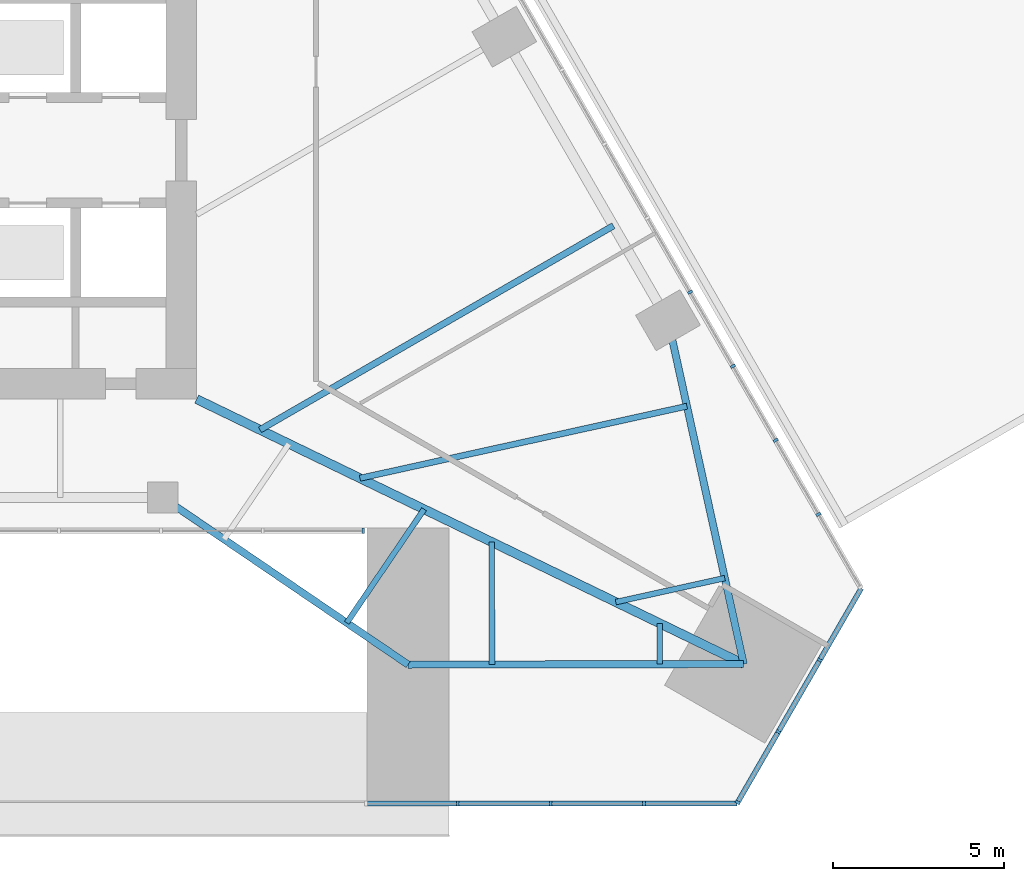
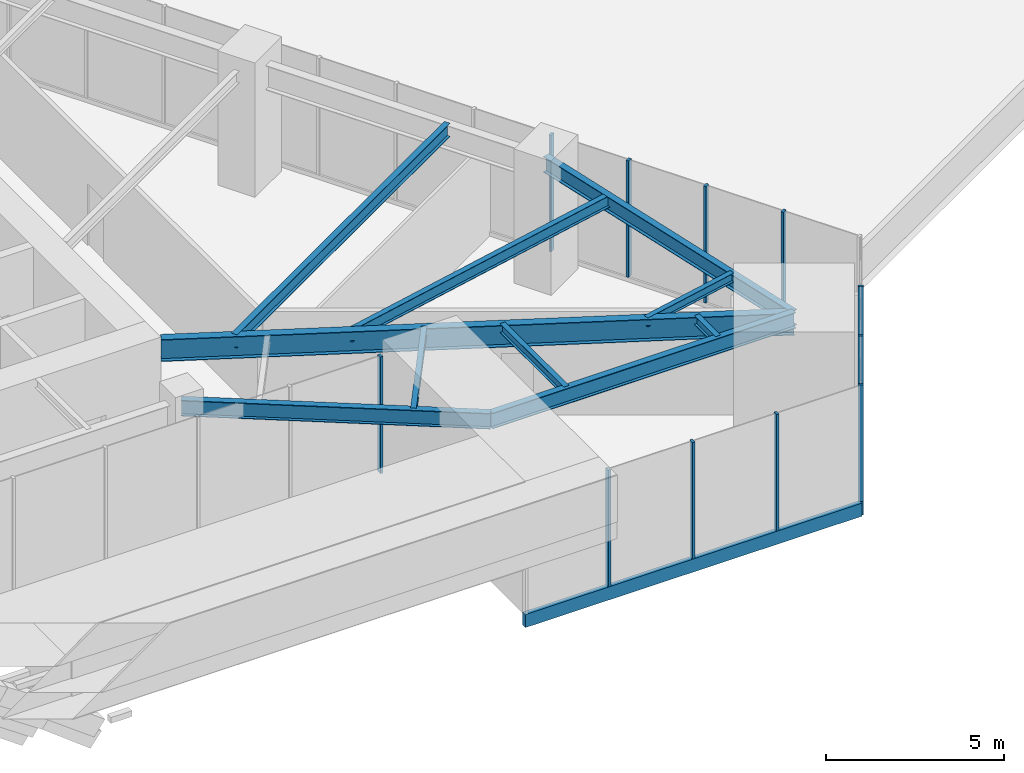
# One storey, part 6 of 23: 13 members, 10 beams, 4 elements without a shape of their own.
"""IFC4 building model written with IfcOpenShell, lengths in metres."""

from ifc_helpers import new_model, si_unit, direction, frame, origin, origin_2d, place, context, subcontext, project, spatial, rectangle, i_section, extrude, material, layer, layer_set, material_profile, profile_set, type_object, element, aggregate, save


model = new_model("IFC4")

# Units and contexts
model_context = context("Model", 3, precision=1e-05, world=origin(), true_north=direction((0.0, 1.0)))
body_context = subcontext(model_context, "Body", "Model", "MODEL_VIEW")
ifc_project = project(units=[si_unit("LENGTHUNIT", "METRE"), si_unit("AREAUNIT", "SQUARE_METRE"), si_unit("VOLUMEUNIT", "CUBIC_METRE"), si_unit("PLANEANGLEUNIT", "RADIAN"), si_unit("MASSUNIT", "GRAM", prefix="KILO")], contexts=[model_context])

# Site, building, storey
site_placement = place(None, origin())
site = spatial("IfcSite", under=ifc_project, at=site_placement, CompositionType="ELEMENT")
building_placement = place(site_placement, origin())
building = spatial("IfcBuilding", under=site, at=building_placement, Name="Firuza Gate Tower and Library", CompositionType="ELEMENT")
storey_placement = place(building_placement, frame((0.0, 0.0, 26.39990234375)))
storey = spatial("IfcBuildingStorey", under=building, at=storey_placement, Name="L05", CompositionType="ELEMENT", Elevation=26.39990234375)

# Curtain wall, member
ifc_material_1 = material(Name="Aluminium 6063-T6", Category="aluminium")
ifc_layer_1 = layer(ifc_material_1, 0.14990234375)
ifc_layer_set_1 = layer_set([ifc_layer_1], Name="Stick curtain wall, gate lobby")
curtain_wall_type_1 = type_object("IfcCurtainWallType", Name="Stick curtain wall, gate lobby", PredefinedType="NOTDEFINED", material=ifc_layer_set_1)
placement = place(storey_placement, origin())
curtain_wall_1 = element("IfcCurtainWall", 1, at=placement, inside=storey, type_object=curtain_wall_type_1, Name="CW7 L05 gate lobby", PredefinedType="NOTDEFINED")
ifc_material_2 = material(Name="Aluminium 6063-T6", Category="aluminium")
ifc_material_profile_1 = material_profile(ifc_material_2, rectangle(XDim=0.14990234375, YDim=0.080078125, at=origin_2d()))
ifc_profile_set_1 = profile_set([ifc_material_profile_1], Name="Aluminium 6063-T6")
member_type_1 = type_object("IfcMemberType", Name="Curtain wall mullion 80x150", PredefinedType="MULLION", material=ifc_profile_set_1)
member_1_placement = place(storey_placement, frame((92.885009765625, 62.140380859375, 0.150146484375), z_axis=(0.0, 0.0, 1.0), x_axis=(0.0, 1.0, 0.0)))
member_1 = element("IfcMember", 2, at=member_1_placement, type_object=member_type_1, Name="Mullion", PredefinedType="MULLION", context=body_context, shape_type="SweptSolid", body=[
    extrude(rectangle(XDim=0.14990234375, YDim=0.080078125, at=origin_2d()), origin(), (0.0, 0.0, 1.0), 4.0),
])
aggregate(curtain_wall_1, [member_1])

# Curtain wall, members
ifc_material_3 = material(Name="Aluminium 6063-T6", Category="aluminium")
ifc_layer_2 = layer(ifc_material_3, 0.14990234375)
ifc_layer_set_2 = layer_set([ifc_layer_2], Name="Stick curtain wall, podium")
curtain_wall_type_2 = type_object("IfcCurtainWallType", Name="Stick curtain wall, podium", PredefinedType="NOTDEFINED", material=ifc_layer_set_2)
curtain_wall_2 = element("IfcCurtainWall", 3, at=placement, inside=storey, type_object=curtain_wall_type_2, Name="CW5 L05 S", PredefinedType="NOTDEFINED")
member_2_placement = place(storey_placement, frame((95.654541015625, 54.140380859375, 0.150146484375), z_axis=(0.0, 0.0, 1.0), x_axis=(0.0, 1.0, 0.0)))
member_2 = element("IfcMember", 4, at=member_2_placement, type_object=member_type_1, Name="Mullion", PredefinedType="MULLION", context=body_context, shape_type="SweptSolid", body=[
    extrude(rectangle(XDim=0.14990234375, YDim=0.080078125, at=origin_2d()), origin(), (0.0, 0.0, 1.0), 4.0),
])
member_3_placement = place(storey_placement, frame((98.384033203125, 54.140380859375, 0.150146484375), z_axis=(0.0, 0.0, 1.0), x_axis=(0.0, 1.0, 0.0)))
member_3 = element("IfcMember", 5, at=member_3_placement, type_object=member_type_1, Name="Mullion", PredefinedType="MULLION", context=body_context, shape_type="SweptSolid", body=[
    extrude(rectangle(XDim=0.14990234375, YDim=0.080078125, at=origin_2d()), origin(), (0.0, 0.0, 1.0), 4.0),
])
member_4_placement = place(storey_placement, frame((101.11376953125, 54.140380859375, 0.150146484375), z_axis=(0.0, 0.0, 1.0), x_axis=(0.0, 1.0, 0.0)))
member_4 = element("IfcMember", 6, at=member_4_placement, type_object=member_type_1, Name="Mullion", PredefinedType="MULLION", context=body_context, shape_type="SweptSolid", body=[
    extrude(rectangle(XDim=0.14990234375, YDim=0.080078125, at=origin_2d()), origin(), (0.0, 0.0, 1.0), 4.0),
])

curtain_wall_3 = element("IfcCurtainWall", 7, at=placement, inside=storey, type_object=curtain_wall_type_2, Name="CW5 L05 SE", PredefinedType="NOTDEFINED")
member_5_placement = place(storey_placement, frame((103.86328125, 54.175048828125, 0.150146484375), z_axis=(0.0, 0.0, 1.0), x_axis=(-0.866025403784, 0.5, 0.0)))
member_5 = element("IfcMember", 8, at=member_5_placement, type_object=member_type_1, Name="Mullion", PredefinedType="MULLION", context=body_context, shape_type="SweptSolid", body=[
    extrude(rectangle(XDim=0.14990234375, YDim=0.080078125, at=origin_2d()), origin(), (0.0, 0.0, 1.0), 4.0),
])
member_6_placement = place(storey_placement, frame((105.0576171875, 56.243896484375, 0.150146484375), z_axis=(0.0, 0.0, 1.0), x_axis=(-0.866025403784, 0.5, 0.0)))
member_6 = element("IfcMember", 9, at=member_6_placement, type_object=member_type_1, Name="Mullion", PredefinedType="MULLION", context=body_context, shape_type="SweptSolid", body=[
    extrude(rectangle(XDim=0.14990234375, YDim=0.080078125, at=origin_2d()), origin(), (0.0, 0.0, 1.0), 4.0),
])
member_7_placement = place(storey_placement, frame((106.272216796875, 58.347412109375, 0.150146484375), z_axis=(0.0, 0.0, 1.0), x_axis=(-0.866025403784, 0.5, 0.0)))
member_7 = element("IfcMember", 10, at=member_7_placement, type_object=member_type_1, Name="Mullion", PredefinedType="MULLION", context=body_context, shape_type="SweptSolid", body=[
    extrude(rectangle(XDim=0.14990234375, YDim=0.080078125, at=origin_2d()), origin(), (0.0, 0.0, 1.0), 4.0),
])

curtain_wall_4 = element("IfcCurtainWall", 11, at=placement, inside=storey, type_object=curtain_wall_type_2, Name="CW5 L05 E", PredefinedType="NOTDEFINED")
member_8_placement = place(storey_placement, frame((106.232666015625, 62.622802734375, 0.150146484375), z_axis=(0.0, 0.0, 1.0), x_axis=(-0.866025403784, -0.5, 0.0)))
member_8 = element("IfcMember", 12, at=member_8_placement, type_object=member_type_1, Name="Mullion", PredefinedType="MULLION", context=body_context, shape_type="SweptSolid", body=[
    extrude(rectangle(XDim=0.14990234375, YDim=0.080078125, at=origin_2d()), origin(), (0.0, 0.0, 1.0), 4.0),
])
member_9_placement = place(storey_placement, frame((104.978515625, 64.794921875, 0.150146484375), z_axis=(0.0, 0.0, 1.0), x_axis=(-0.866025403784, -0.5, 0.0)))
member_9 = element("IfcMember", 13, at=member_9_placement, type_object=member_type_1, Name="Mullion", PredefinedType="MULLION", context=body_context, shape_type="SweptSolid", body=[
    extrude(rectangle(XDim=0.14990234375, YDim=0.080078125, at=origin_2d()), origin(), (0.0, 0.0, 1.0), 4.0),
])
member_10_placement = place(storey_placement, frame((103.724365234375, 66.967041015625, 0.150146484375), z_axis=(0.0, 0.0, 1.0), x_axis=(-0.866025403784, -0.5, 0.0)))
member_10 = element("IfcMember", 14, at=member_10_placement, type_object=member_type_1, Name="Mullion", PredefinedType="MULLION", context=body_context, shape_type="SweptSolid", body=[
    extrude(rectangle(XDim=0.14990234375, YDim=0.080078125, at=origin_2d()), origin(), (0.0, 0.0, 1.0), 4.0),
])
member_11_placement = place(storey_placement, frame((102.470458984375, 69.13916015625, 0.150146484375), z_axis=(0.0, 0.0, 1.0), x_axis=(-0.866025403784, -0.5, 0.0)))
member_11 = element("IfcMember", 15, at=member_11_placement, type_object=member_type_1, Name="Mullion", PredefinedType="MULLION", context=body_context, shape_type="SweptSolid", body=[
    extrude(rectangle(XDim=0.14990234375, YDim=0.080078125, at=origin_2d()), origin(), (0.0, 0.0, 1.0), 4.0),
])
aggregate(curtain_wall_4, [member_8, member_9, member_10, member_11])

# Member
ifc_material_4 = material(Name="Aluminium 6063-T6", Category="aluminium")
ifc_material_profile_2 = material_profile(ifc_material_4, rectangle(XDim=0.14990234375, YDim=0.449951171875, at=origin_2d()))
ifc_profile_set_2 = profile_set([ifc_material_profile_2], Name="Aluminium 6063-T6")
member_type_2 = type_object("IfcMemberType", Name="Curtain wall transom 450x150", PredefinedType="USERDEFINED", material=ifc_profile_set_2)
member_12_placement = place(storey_placement, frame((92.925048828125, 54.140380859375, -0.074951171875), z_axis=(1.0, 0.0, 0.0), x_axis=(0.0, 1.0, 0.0)))
member_12 = element("IfcMember", 16, at=member_12_placement, type_object=member_type_2, Name="Transom", ObjectType="TRANSOM", PredefinedType="USERDEFINED", context=body_context, shape_type="SweptSolid", body=[
    extrude(rectangle(XDim=0.14990234375, YDim=0.449951171875, at=origin_2d()), origin(), (0.0, 0.0, 1.0), 10.918212890625),
])

aggregate(curtain_wall_2, [member_2, member_3, member_4, member_12])

member_13_placement = place(storey_placement, frame((103.84326171875, 54.140380859375, -0.074951171875), z_axis=(0.500005719219, 0.866022101766, 0.0), x_axis=(-0.866022101766, 0.500005719219, 0.0)))
member_13 = element("IfcMember", 17, at=member_13_placement, type_object=member_type_2, Name="Transom", ObjectType="TRANSOM", PredefinedType="USERDEFINED", context=body_context, shape_type="SweptSolid", body=[
    extrude(rectangle(XDim=0.14990234375, YDim=0.449951171875, at=origin_2d()), origin(), (0.0, 0.0, 1.0), 7.28662109375),
])

aggregate(curtain_wall_3, [member_5, member_6, member_7, member_13])

# Beams
ifc_material_5 = material(Name="Steel S355", Category="steel")
ifc_material_profile_3 = material_profile(ifc_material_5, i_section(OverallWidth=0.1650390625, OverallDepth=0.31005859375, WebThickness=0.005859375, FlangeThickness=0.009765625, at=origin_2d()))
ifc_profile_set_3 = profile_set([ifc_material_profile_3], Name="Steel S355")
beam_type_1 = type_object("IfcBeamType", Name="W310x39 Floor beam", PredefinedType="JOIST", material=ifc_profile_set_3)
beam_1_placement = place(storey_placement, frame((92.39990234375, 59.4404296875, 3.9951171875), z_axis=(0.562657973934, 0.826689787265, 0.0), x_axis=(-0.826689787265, 0.562657973934, 0.0)))
element("IfcBeam", 18, at=beam_1_placement, inside=storey, type_object=beam_type_1, Name="Floor beam L05 s41", PredefinedType="JOIST", context=body_context, shape_type="SweptSolid", body=[
    extrude(i_section(OverallWidth=0.1650390625, OverallDepth=0.31005859375, WebThickness=0.005859375, FlangeThickness=0.009765625, at=origin_2d()), origin(), (0.0, 0.0, 1.0), 4.02978515625),
])
beam_2_placement = place(storey_placement, frame((96.660400390625, 58.2197265625, 3.9951171875), z_axis=(-0.001836107072, 0.999998314354, 0.0), x_axis=(-0.999998314354, -0.001836107072, 0.0)))
element("IfcBeam", 19, at=beam_2_placement, inside=storey, type_object=beam_type_1, Name="Floor beam L05 s50", PredefinedType="JOIST", context=body_context, shape_type="SweptSolid", body=[
    extrude(i_section(OverallWidth=0.1650390625, OverallDepth=0.31005859375, WebThickness=0.005859375, FlangeThickness=0.009765625, at=origin_2d()), origin(), (0.0, 0.0, 1.0), 3.590087890625),
])
beam_3_placement = place(storey_placement, frame((101.580810546875, 58.228759765625, 3.9951171875), z_axis=(-0.00183635683, 0.999998313895, 0.0), x_axis=(-0.999998313895, -0.00183635683, 0.0)))
element("IfcBeam", 20, at=beam_3_placement, inside=storey, type_object=beam_type_1, Name="Floor beam L05 s51", PredefinedType="JOIST", context=body_context, shape_type="SweptSolid", body=[
    extrude(i_section(OverallWidth=0.1650390625, OverallDepth=0.31005859375, WebThickness=0.005859375, FlangeThickness=0.009765625, at=origin_2d()), origin(), (0.0, 0.0, 1.0), 1.196533203125),
])
beam_4_placement = place(storey_placement, frame((103.486083984375, 60.75341796875, 3.9951171875), z_axis=(-0.976601243751, -0.215058156564, 0.0), x_axis=(0.215058156564, -0.976601243751, 0.0)))
element("IfcBeam", 21, at=beam_4_placement, inside=storey, type_object=beam_type_1, Name="Floor beam L05 s60", PredefinedType="JOIST", context=body_context, shape_type="SweptSolid", body=[
    extrude(i_section(OverallWidth=0.1650390625, OverallDepth=0.31005859375, WebThickness=0.005859375, FlangeThickness=0.009765625, at=origin_2d()), origin(), (0.0, 0.0, 1.0), 3.27294921875),
])
ifc_material_6 = material(Name="Steel S355", Category="steel")
ifc_material_profile_4 = material_profile(ifc_material_6, i_section(OverallWidth=0.177978515625, OverallDepth=0.406982421875, WebThickness=0.0078125, FlangeThickness=0.0126953125, at=origin_2d()))
ifc_profile_set_4 = profile_set([ifc_material_profile_4], Name="Steel S355")
beam_type_2 = type_object("IfcBeamType", Name="W410x60 Floor beam", PredefinedType="JOIST", material=ifc_profile_set_4)
beam_5_placement = place(storey_placement, frame((102.375732421875, 65.794189453125, 3.946533203125), z_axis=(-0.97658964753, -0.215110809441, 0.0), x_axis=(0.215110809441, -0.97658964753, 0.0)))
element("IfcBeam", 22, at=beam_5_placement, inside=storey, type_object=beam_type_2, Name="Floor beam L05 s61", PredefinedType="JOIST", context=body_context, shape_type="SweptSolid", body=[
    extrude(i_section(OverallWidth=0.177978515625, OverallDepth=0.406982421875, WebThickness=0.0078125, FlangeThickness=0.0126953125, at=origin_2d()), origin(), (0.0, 0.0, 1.0), 9.818359375),
])
ifc_material_7 = material(Name="Steel S355", Category="steel")
ifc_material_profile_5 = material_profile(ifc_material_7, i_section(OverallWidth=0.18994140625, OverallDepth=0.45703125, WebThickness=0.009033203125, FlangeThickness=0.014404296875, at=origin_2d()))
ifc_profile_set_5 = profile_set([ifc_material_profile_5], Name="Steel S355")
beam_type_3 = type_object("IfcBeamType", Name="W460x74 Floor beam", PredefinedType="JOIST", material=ifc_profile_set_5)
beam_6_placement = place(storey_placement, frame((100.220458984375, 71.0859375, 3.921630859375), z_axis=(-0.866020154196, -0.500009092443, 0.0), x_axis=(0.500009092443, -0.866020154196, 0.0)))
element("IfcBeam", 23, at=beam_6_placement, inside=storey, type_object=beam_type_3, Name="Floor beam L05 s70", PredefinedType="JOIST", context=body_context, shape_type="SweptSolid", body=[
    extrude(i_section(OverallWidth=0.18994140625, OverallDepth=0.45703125, WebThickness=0.009033203125, FlangeThickness=0.014404296875, at=origin_2d()), origin(), (0.0, 0.0, 1.0), 11.968505859375),
])
ifc_material_8 = material(Name="Steel S355", Category="steel")
ifc_material_profile_6 = material_profile(ifc_material_8, i_section(OverallWidth=0.212890625, OverallDepth=0.5390625, WebThickness=0.01171875, FlangeThickness=0.018798828125, at=origin_2d()))
ifc_profile_set_6 = profile_set([ifc_material_profile_6], Name="Steel S355")
beam_type_4 = type_object("IfcBeamType", Name="W530x109 Edge beam", PredefinedType="SPANDREL", material=ifc_profile_set_6)
beam_7_placement = place(storey_placement, frame((87.0, 63.115478515625, 3.880615234375), z_axis=(0.826703281934, -0.562638146272, 0.0), x_axis=(0.562638146272, 0.826703281934, 0.0)))
element("IfcBeam", 24, at=beam_7_placement, inside=storey, type_object=beam_type_4, Name="Edge beam L05 e40", PredefinedType="SPANDREL", context=body_context, shape_type="SweptSolid", body=[
    extrude(i_section(OverallWidth=0.212890625, OverallDepth=0.5390625, WebThickness=0.01171875, FlangeThickness=0.018798828125, at=origin_2d()), origin(), (0.0, 0.0, 1.0), 8.709228515625),
])
beam_8_placement = place(storey_placement, frame((94.199951171875, 58.21533203125, 3.880615234375), z_axis=(0.999998360207, 0.001810962051, 0.0), x_axis=(-0.001810962051, 0.999998360207, 0.0)))
element("IfcBeam", 25, at=beam_8_placement, inside=storey, type_object=beam_type_4, Name="Edge beam L05 e50", PredefinedType="SPANDREL", context=body_context, shape_type="SweptSolid", body=[
    extrude(i_section(OverallWidth=0.212890625, OverallDepth=0.5390625, WebThickness=0.01171875, FlangeThickness=0.018798828125, at=origin_2d()), origin(), (0.0, 0.0, 1.0), 9.84130859375),
])
beam_9_placement = place(storey_placement, frame((104.041259765625, 58.233154296875, 3.880615234375), z_axis=(-0.215117130091, 0.976588255275, 0.0), x_axis=(-0.976588255275, -0.215117130091, 0.0)))
element("IfcBeam", 26, at=beam_9_placement, inside=storey, type_object=beam_type_4, Name="Edge beam L05 e60", PredefinedType="SPANDREL", context=body_context, shape_type="SweptSolid", body=[
    extrude(i_section(OverallWidth=0.212890625, OverallDepth=0.5390625, WebThickness=0.01171875, FlangeThickness=0.018798828125, at=origin_2d()), origin(), (0.0, 0.0, 1.0), 10.3232421875),
])
ifc_material_9 = material(Name="Steel S355", Category="steel")
ifc_material_profile_7 = material_profile(ifc_material_9, i_section(OverallWidth=0.264892578125, OverallDepth=0.7529296875, WebThickness=0.01318359375, FlangeThickness=0.01708984375, at=origin_2d()))
ifc_profile_set_7 = profile_set([ifc_material_profile_7], Name="Steel S355")
beam_type_5 = type_object("IfcBeamType", Name="W760x147 Girder", PredefinedType="BEAM", material=ifc_profile_set_7)
beam_10_placement = place(storey_placement, frame((104.041259765625, 58.233154296875, 3.773681640625), z_axis=(-0.900050421894, 0.43578577082, 0.0), x_axis=(-0.43578577082, -0.900050421894, 0.0)))
element("IfcBeam", 27, at=beam_10_placement, inside=storey, type_object=beam_type_5, Name="Girder L05 gSE", PredefinedType="BEAM", context=body_context, shape_type="SweptSolid", body=[
    extrude(i_section(OverallWidth=0.264892578125, OverallDepth=0.7529296875, WebThickness=0.01318359375, FlangeThickness=0.01708984375, at=origin_2d()), origin(), (0.0, 0.0, 1.0), 17.822509765625),
])

save(model, "model.ifc")
